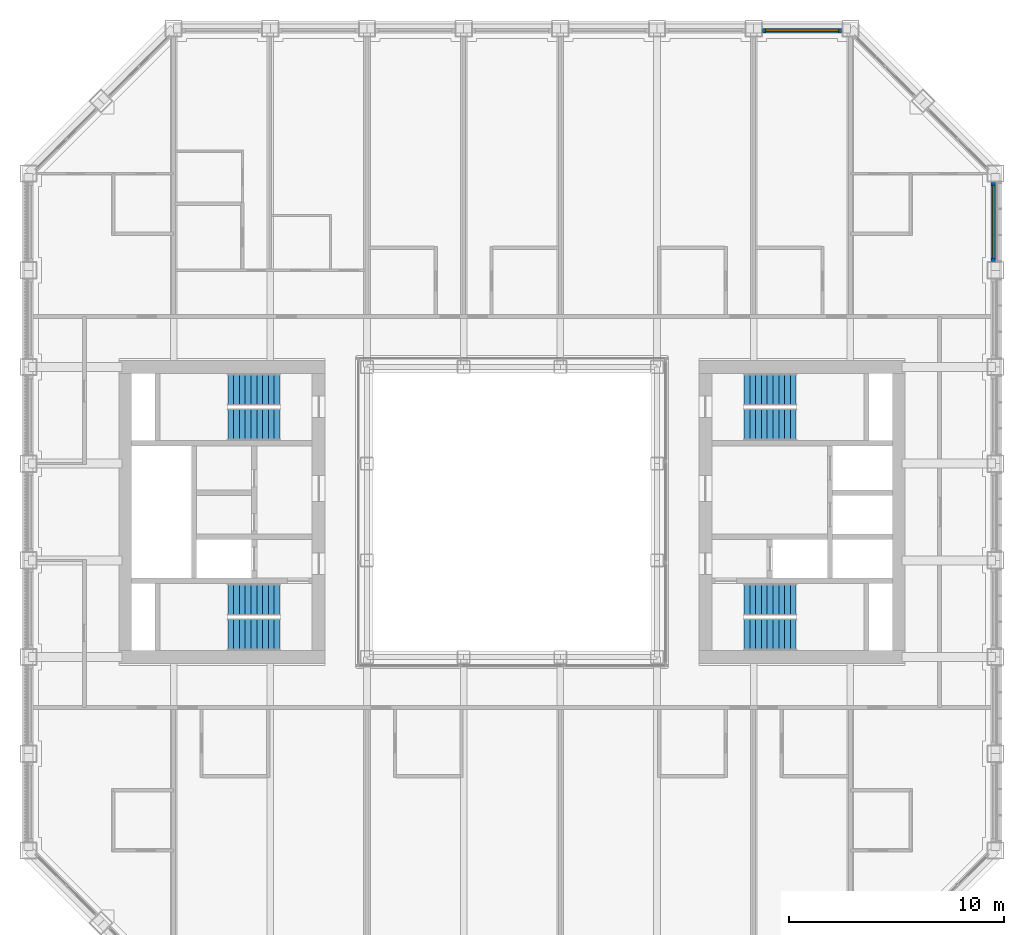
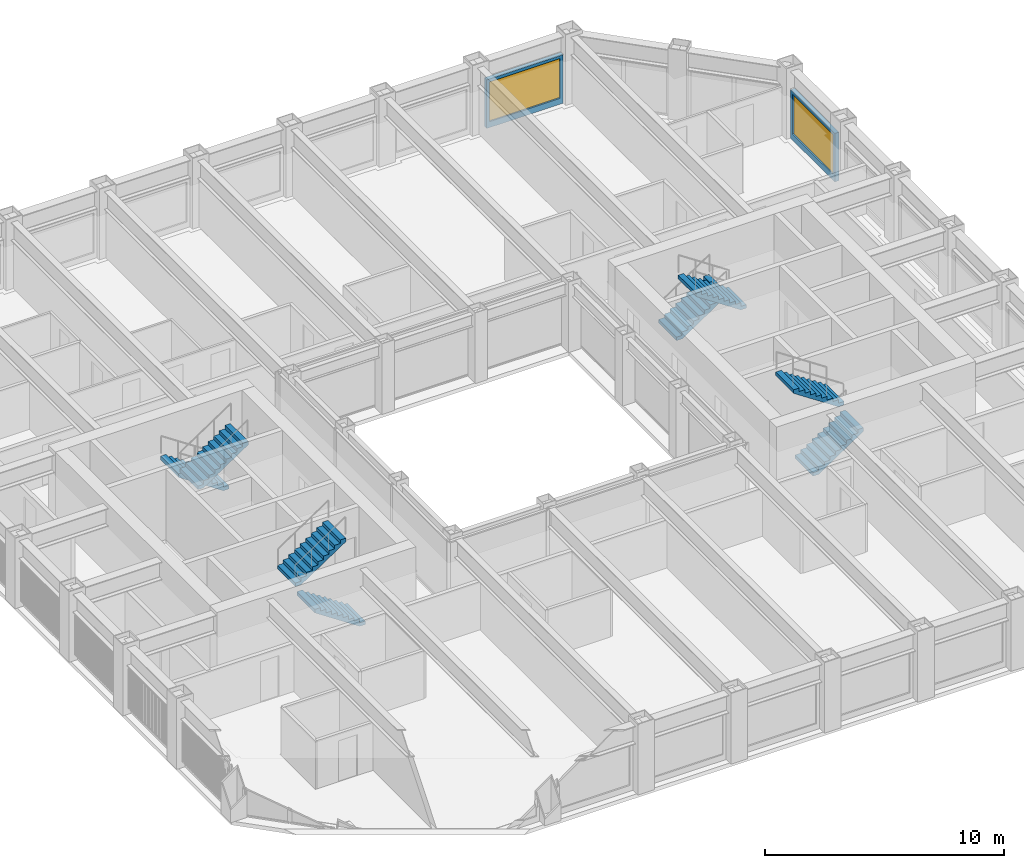
# One storey, part 14 of 17: 8 stair flights, 2 walls, 2 windows, 2 openings, 4 elements without a shape of their own.
"""IFC4 building model written with IfcOpenShell, lengths in metres."""

from ifc_helpers import new_model, si_unit, direction, frame, frame_2d, origin, place, context, subcontext, project, spatial, polyline, rectangle, outline, extrude, material, layer, layer_set, type_object, element, fill, aggregate, save


model = new_model("IFC4")

# Units and contexts
model_context = context("Model", 3, precision=1e-05, world=origin(), true_north=direction((0.0, 1.0)))
body_context = subcontext(model_context, "Body", "Model", "MODEL_VIEW")
ifc_project = project(units=[si_unit("LENGTHUNIT", "METRE"), si_unit("AREAUNIT", "SQUARE_METRE"), si_unit("VOLUMEUNIT", "CUBIC_METRE"), si_unit("PLANEANGLEUNIT", "RADIAN"), si_unit("MASSUNIT", "GRAM", prefix="KILO")], contexts=[model_context])

# Site, building, storey
site_placement = place(None, origin())
site = spatial("IfcSite", under=ifc_project, at=site_placement, CompositionType="ELEMENT")
building_placement = place(site_placement, origin())
building = spatial("IfcBuilding", under=site, at=building_placement, Name="Msasa Ring Tower", CompositionType="ELEMENT")
storey_placement = place(building_placement, frame((0.0, 0.0, 172.39990234375)))
storey = spatial("IfcBuildingStorey", under=building, at=storey_placement, Name="L45", CompositionType="ELEMENT", Elevation=172.39990234375)

# Wall, opening, window
ifc_material_1 = material(Name="Terracotta rainscreen on blockwork", Category="masonry")
ifc_layer = layer(ifc_material_1, 0.199951171875)
ifc_layer_set = layer_set([ifc_layer], Name="FW1 TERRACOTTA-LINED INFILL BAY WALL 200")
wall_type = type_object("IfcWallType", Name="FW1 TERRACOTTA-LINED INFILL BAY WALL 200", PredefinedType="SOLIDWALL", material=ifc_layer_set)
wall_1_placement = place(storey_placement, frame((22.39990234375, 11.655029296875, 0.0), z_axis=(0.0, 0.0, 1.0), x_axis=(0.0, 1.0, 0.0)))
wall_1 = element("IfcWall", 1, at=wall_1_placement, inside=storey, type_object=wall_type, Name="Infill bay wall E L45 15", PredefinedType="SOLIDWALL", context=body_context, shape_type="SweptSolid", body=[
    extrude(rectangle(XDim=3.68994140625, YDim=0.199951171875, at=frame_2d((1.844970703125, 0.0))), origin(), (0.0, 0.0, 1.0), 2.47900390625),
])
opening_1_placement = place(wall_1_placement, frame((0.14501953125, 0.0, 0.300048828125)))
opening_1 = element("IfcOpeningElement", 2, at=opening_1_placement, cuts=wall_1, Name="Opening WN2", PredefinedType="OPENING", context=body_context, shape_type="SweptSolid", body=[
    extrude(rectangle(XDim=3.39990234375, YDim=2.029052734375, at=frame_2d((1.699951171875, 1.0146484375))), frame((0.0, 0.10986328125, 0.0), z_axis=(0.0, -1.0, 0.0), x_axis=(1.0, 0.0, 0.0)), (0.0, 0.0, 1.0), 0.219970703125),
])
ifc_material_2 = material(Name="Aluminium frame with clear glass", Category="aluminium")
window_type = type_object("IfcWindowType", Name="WN2 GUEST ROOM WINDOW 3400x2029", PartitioningType="SINGLE_PANEL", PredefinedType="WINDOW", material=ifc_material_2)
window_1_placement = place(opening_1_placement, origin())
window_1 = element("IfcWindow", 3, at=window_1_placement, inside=storey, type_object=window_type, Name="Window E L45 15", OverallHeight=2.029052734375, OverallWidth=3.39990234375, PartitioningType="SINGLE_PANEL", PredefinedType="WINDOW", context=body_context, shape_type="SweptSolid", body=[
    extrude(rectangle(XDim=3.39990234375, YDim=2.029052734375, at=frame_2d((1.699951171875, 1.0146484375))), frame((0.0, 0.030029296875, 0.0), z_axis=(0.0, -1.0, 0.0), x_axis=(1.0, 0.0, 0.0)), (0.0, 0.0, 1.0), 0.06005859375),
])
fill(opening_1, window_1)

wall_2_placement = place(storey_placement, frame((11.655029296875, 22.39990234375, 0.0), z_axis=(0.0, 0.0, 1.0), x_axis=(1.0, 0.0, 0.0)))
wall_2 = element("IfcWall", 4, at=wall_2_placement, inside=storey, type_object=wall_type, Name="Infill bay wall N L45 24", PredefinedType="SOLIDWALL", context=body_context, shape_type="SweptSolid", body=[
    extrude(rectangle(XDim=3.68994140625, YDim=0.199951171875, at=frame_2d((1.844970703125, 0.0))), origin(), (0.0, 0.0, 1.0), 2.47900390625),
])
opening_2_placement = place(wall_2_placement, frame((0.14501953125, 0.0, 0.300048828125)))
opening_2 = element("IfcOpeningElement", 5, at=opening_2_placement, cuts=wall_2, Name="Opening WN2", PredefinedType="OPENING", context=body_context, shape_type="SweptSolid", body=[
    extrude(rectangle(XDim=3.39990234375, YDim=2.029052734375, at=frame_2d((1.699951171875, 1.0146484375))), frame((0.0, 0.10986328125, 0.0), z_axis=(0.0, -1.0, 0.0), x_axis=(1.0, 0.0, 0.0)), (0.0, 0.0, 1.0), 0.219970703125),
])
window_2_placement = place(opening_2_placement, origin())
window_2 = element("IfcWindow", 6, at=window_2_placement, inside=storey, type_object=window_type, Name="Window N L45 24", OverallHeight=2.029052734375, OverallWidth=3.39990234375, PartitioningType="SINGLE_PANEL", PredefinedType="WINDOW", context=body_context, shape_type="SweptSolid", body=[
    extrude(rectangle(XDim=3.39990234375, YDim=2.029052734375, at=frame_2d((1.699951171875, 1.0146484375))), frame((0.0, 0.030029296875, 0.0), z_axis=(0.0, -1.0, 0.0), x_axis=(1.0, 0.0, 0.0)), (0.0, 0.0, 1.0), 0.06005859375),
])
fill(opening_2, window_2)

# Stair, stair flights
ifc_material_3 = material(Name="Concrete C40/50", Category="concrete")
stair_type = type_object("IfcStairType", Name="STC CORE STAIR 20 RISERS 180", PredefinedType="HALF_TURN_STAIR", material=ifc_material_3)
stair_1_placement = place(storey_placement, origin())
stair_1 = element("IfcStair", 7, at=stair_1_placement, inside=storey, type_object=stair_type, Name="Core stair SEA L45", PredefinedType="HALF_TURN_STAIR")
ifc_material_4 = material(Name="Concrete C40/50", Category="concrete")
stair_flight_type = type_object("IfcStairFlightType", Name="ST14 CORE STAIR FLIGHT 1500 10 RISERS 180", PredefinedType="STRAIGHT", material=ifc_material_4)
stair_flight_1_placement = place(storey_placement, frame((10.800048828125, -5.699951171875, 0.0), z_axis=(0.0, 0.0, 1.0), x_axis=(1.0, 0.0, 0.0)))
stair_flight_1 = element("IfcStairFlight", 8, at=stair_flight_1_placement, type_object=stair_flight_type, Name="SEA flight 1", NumberOfRisers=10, NumberOfTreads=9, PredefinedType="STRAIGHT", RiserHeight=0.18, TreadLength=0.27, context=body_context, shape_type="SweptSolid", body=[
    extrude(outline(polyline([(0.0, 0.0), (0.0, 0.179931640625), (0.27001953125, 0.179931640625), (0.27001953125, 0.360107421875), (0.5400390625, 0.360107421875), (0.5400390625, 0.5400390625), (0.81005859375, 0.5400390625), (0.81005859375, 0.719970703125), (1.080078125, 0.719970703125), (1.080078125, 0.89990234375), (1.35009765625, 0.89990234375), (1.35009765625, 1.080078125), (1.6201171875, 1.080078125), (1.6201171875, 1.260009765625), (1.889892578125, 1.260009765625), (1.889892578125, 1.43994140625), (2.159912109375, 1.43994140625), (2.159912109375, 1.6201171875), (2.429931640625, 1.6201171875), (2.429931640625, 1.800048828125), (2.429931640625, 1.43994140625), (0.270263671875, 0.0), (0.0, 0.0)])), frame((0.0, 0.75, 0.0), z_axis=(0.0, -1.0, 0.0), x_axis=(1.0, 0.0, 0.0)), (0.0, 0.0, 1.0), 1.5),
])
stair_flight_2_placement = place(storey_placement, frame((13.22998046875, -4.074951171875, 1.800048828125), z_axis=(0.0, 0.0, 1.0), x_axis=(-1.0, 0.0, 0.0)))
stair_flight_2 = element("IfcStairFlight", 9, at=stair_flight_2_placement, type_object=stair_flight_type, Name="SEA flight 2", NumberOfRisers=10, NumberOfTreads=9, PredefinedType="STRAIGHT", RiserHeight=0.18, TreadLength=0.27, context=body_context, shape_type="SweptSolid", body=[
    extrude(outline(polyline([(0.0, 0.0), (0.0, 0.179931640625), (0.27001953125, 0.179931640625), (0.27001953125, 0.360107421875), (0.5400390625, 0.360107421875), (0.5400390625, 0.5400390625), (0.81005859375, 0.5400390625), (0.81005859375, 0.719970703125), (1.080078125, 0.719970703125), (1.080078125, 0.89990234375), (1.35009765625, 0.89990234375), (1.35009765625, 1.080078125), (1.6201171875, 1.080078125), (1.6201171875, 1.260009765625), (1.889892578125, 1.260009765625), (1.889892578125, 1.43994140625), (2.159912109375, 1.43994140625), (2.159912109375, 1.6201171875), (2.429931640625, 1.6201171875), (2.429931640625, 1.800048828125), (2.429931640625, 1.43994140625), (0.270263671875, 0.0), (0.0, 0.0)])), frame((0.0, 0.75, 0.0), z_axis=(0.0, -1.0, 0.0), x_axis=(1.0, 0.0, 0.0)), (0.0, 0.0, 1.0), 1.5),
])
aggregate(stair_1, [stair_flight_1, stair_flight_2])

stair_2_placement = place(storey_placement, origin())
stair_2 = element("IfcStair", 10, at=stair_2_placement, inside=storey, type_object=stair_type, Name="Core stair SEB L45", PredefinedType="HALF_TURN_STAIR")
stair_flight_3_placement = place(storey_placement, frame((10.800048828125, 5.699951171875, 0.0), z_axis=(0.0, 0.0, 1.0), x_axis=(1.0, 0.0, 0.0)))
stair_flight_3 = element("IfcStairFlight", 11, at=stair_flight_3_placement, type_object=stair_flight_type, Name="SEB flight 1", NumberOfRisers=10, NumberOfTreads=9, PredefinedType="STRAIGHT", RiserHeight=0.18, TreadLength=0.27, context=body_context, shape_type="SweptSolid", body=[
    extrude(outline(polyline([(0.0, 0.0), (0.0, 0.179931640625), (0.27001953125, 0.179931640625), (0.27001953125, 0.360107421875), (0.5400390625, 0.360107421875), (0.5400390625, 0.5400390625), (0.81005859375, 0.5400390625), (0.81005859375, 0.719970703125), (1.080078125, 0.719970703125), (1.080078125, 0.89990234375), (1.35009765625, 0.89990234375), (1.35009765625, 1.080078125), (1.6201171875, 1.080078125), (1.6201171875, 1.260009765625), (1.889892578125, 1.260009765625), (1.889892578125, 1.43994140625), (2.159912109375, 1.43994140625), (2.159912109375, 1.6201171875), (2.429931640625, 1.6201171875), (2.429931640625, 1.800048828125), (2.429931640625, 1.43994140625), (0.270263671875, 0.0), (0.0, 0.0)])), frame((0.0, 0.75, 0.0), z_axis=(0.0, -1.0, 0.0), x_axis=(1.0, 0.0, 0.0)), (0.0, 0.0, 1.0), 1.5),
])
stair_flight_4_placement = place(storey_placement, frame((13.22998046875, 4.074951171875, 1.800048828125), z_axis=(0.0, 0.0, 1.0), x_axis=(-1.0, 0.0, 0.0)))
stair_flight_4 = element("IfcStairFlight", 12, at=stair_flight_4_placement, type_object=stair_flight_type, Name="SEB flight 2", NumberOfRisers=10, NumberOfTreads=9, PredefinedType="STRAIGHT", RiserHeight=0.18, TreadLength=0.27, context=body_context, shape_type="SweptSolid", body=[
    extrude(outline(polyline([(0.0, 0.0), (0.0, 0.179931640625), (0.27001953125, 0.179931640625), (0.27001953125, 0.360107421875), (0.5400390625, 0.360107421875), (0.5400390625, 0.5400390625), (0.81005859375, 0.5400390625), (0.81005859375, 0.719970703125), (1.080078125, 0.719970703125), (1.080078125, 0.89990234375), (1.35009765625, 0.89990234375), (1.35009765625, 1.080078125), (1.6201171875, 1.080078125), (1.6201171875, 1.260009765625), (1.889892578125, 1.260009765625), (1.889892578125, 1.43994140625), (2.159912109375, 1.43994140625), (2.159912109375, 1.6201171875), (2.429931640625, 1.6201171875), (2.429931640625, 1.800048828125), (2.429931640625, 1.43994140625), (0.270263671875, 0.0), (0.0, 0.0)])), frame((0.0, 0.75, 0.0), z_axis=(0.0, -1.0, 0.0), x_axis=(1.0, 0.0, 0.0)), (0.0, 0.0, 1.0), 1.5),
])
aggregate(stair_2, [stair_flight_3, stair_flight_4])

stair_3_placement = place(storey_placement, origin())
stair_3 = element("IfcStair", 13, at=stair_3_placement, inside=storey, type_object=stair_type, Name="Core stair SWA L45", PredefinedType="HALF_TURN_STAIR")
stair_flight_5_placement = place(storey_placement, frame((-10.800048828125, -5.699951171875, 0.0), z_axis=(0.0, 0.0, 1.0), x_axis=(-1.0, 0.0, 0.0)))
stair_flight_5 = element("IfcStairFlight", 14, at=stair_flight_5_placement, type_object=stair_flight_type, Name="SWA flight 1", NumberOfRisers=10, NumberOfTreads=9, PredefinedType="STRAIGHT", RiserHeight=0.18, TreadLength=0.27, context=body_context, shape_type="SweptSolid", body=[
    extrude(outline(polyline([(0.0, 0.0), (0.0, 0.179931640625), (0.27001953125, 0.179931640625), (0.27001953125, 0.360107421875), (0.5400390625, 0.360107421875), (0.5400390625, 0.5400390625), (0.81005859375, 0.5400390625), (0.81005859375, 0.719970703125), (1.080078125, 0.719970703125), (1.080078125, 0.89990234375), (1.35009765625, 0.89990234375), (1.35009765625, 1.080078125), (1.6201171875, 1.080078125), (1.6201171875, 1.260009765625), (1.889892578125, 1.260009765625), (1.889892578125, 1.43994140625), (2.159912109375, 1.43994140625), (2.159912109375, 1.6201171875), (2.429931640625, 1.6201171875), (2.429931640625, 1.800048828125), (2.429931640625, 1.43994140625), (0.270263671875, 0.0), (0.0, 0.0)])), frame((0.0, 0.75, 0.0), z_axis=(0.0, -1.0, 0.0), x_axis=(1.0, 0.0, 0.0)), (0.0, 0.0, 1.0), 1.5),
])
stair_flight_6_placement = place(storey_placement, frame((-13.22998046875, -4.074951171875, 1.800048828125), z_axis=(0.0, 0.0, 1.0), x_axis=(1.0, 0.0, 0.0)))
stair_flight_6 = element("IfcStairFlight", 15, at=stair_flight_6_placement, type_object=stair_flight_type, Name="SWA flight 2", NumberOfRisers=10, NumberOfTreads=9, PredefinedType="STRAIGHT", RiserHeight=0.18, TreadLength=0.27, context=body_context, shape_type="SweptSolid", body=[
    extrude(outline(polyline([(0.0, 0.0), (0.0, 0.179931640625), (0.27001953125, 0.179931640625), (0.27001953125, 0.360107421875), (0.5400390625, 0.360107421875), (0.5400390625, 0.5400390625), (0.81005859375, 0.5400390625), (0.81005859375, 0.719970703125), (1.080078125, 0.719970703125), (1.080078125, 0.89990234375), (1.35009765625, 0.89990234375), (1.35009765625, 1.080078125), (1.6201171875, 1.080078125), (1.6201171875, 1.260009765625), (1.889892578125, 1.260009765625), (1.889892578125, 1.43994140625), (2.159912109375, 1.43994140625), (2.159912109375, 1.6201171875), (2.429931640625, 1.6201171875), (2.429931640625, 1.800048828125), (2.429931640625, 1.43994140625), (0.270263671875, 0.0), (0.0, 0.0)])), frame((0.0, 0.75, 0.0), z_axis=(0.0, -1.0, 0.0), x_axis=(1.0, 0.0, 0.0)), (0.0, 0.0, 1.0), 1.5),
])
aggregate(stair_3, [stair_flight_5, stair_flight_6])

stair_4_placement = place(storey_placement, origin())
stair_4 = element("IfcStair", 16, at=stair_4_placement, inside=storey, type_object=stair_type, Name="Core stair SWB L45", PredefinedType="HALF_TURN_STAIR")
stair_flight_7_placement = place(storey_placement, frame((-10.800048828125, 5.699951171875, 0.0), z_axis=(0.0, 0.0, 1.0), x_axis=(-1.0, 0.0, 0.0)))
stair_flight_7 = element("IfcStairFlight", 17, at=stair_flight_7_placement, type_object=stair_flight_type, Name="SWB flight 1", NumberOfRisers=10, NumberOfTreads=9, PredefinedType="STRAIGHT", RiserHeight=0.18, TreadLength=0.27, context=body_context, shape_type="SweptSolid", body=[
    extrude(outline(polyline([(0.0, 0.0), (0.0, 0.179931640625), (0.27001953125, 0.179931640625), (0.27001953125, 0.360107421875), (0.5400390625, 0.360107421875), (0.5400390625, 0.5400390625), (0.81005859375, 0.5400390625), (0.81005859375, 0.719970703125), (1.080078125, 0.719970703125), (1.080078125, 0.89990234375), (1.35009765625, 0.89990234375), (1.35009765625, 1.080078125), (1.6201171875, 1.080078125), (1.6201171875, 1.260009765625), (1.889892578125, 1.260009765625), (1.889892578125, 1.43994140625), (2.159912109375, 1.43994140625), (2.159912109375, 1.6201171875), (2.429931640625, 1.6201171875), (2.429931640625, 1.800048828125), (2.429931640625, 1.43994140625), (0.270263671875, 0.0), (0.0, 0.0)])), frame((0.0, 0.75, 0.0), z_axis=(0.0, -1.0, 0.0), x_axis=(1.0, 0.0, 0.0)), (0.0, 0.0, 1.0), 1.5),
])
stair_flight_8_placement = place(storey_placement, frame((-13.22998046875, 4.074951171875, 1.800048828125), z_axis=(0.0, 0.0, 1.0), x_axis=(1.0, 0.0, 0.0)))
stair_flight_8 = element("IfcStairFlight", 18, at=stair_flight_8_placement, type_object=stair_flight_type, Name="SWB flight 2", NumberOfRisers=10, NumberOfTreads=9, PredefinedType="STRAIGHT", RiserHeight=0.18, TreadLength=0.27, context=body_context, shape_type="SweptSolid", body=[
    extrude(outline(polyline([(0.0, 0.0), (0.0, 0.179931640625), (0.27001953125, 0.179931640625), (0.27001953125, 0.360107421875), (0.5400390625, 0.360107421875), (0.5400390625, 0.5400390625), (0.81005859375, 0.5400390625), (0.81005859375, 0.719970703125), (1.080078125, 0.719970703125), (1.080078125, 0.89990234375), (1.35009765625, 0.89990234375), (1.35009765625, 1.080078125), (1.6201171875, 1.080078125), (1.6201171875, 1.260009765625), (1.889892578125, 1.260009765625), (1.889892578125, 1.43994140625), (2.159912109375, 1.43994140625), (2.159912109375, 1.6201171875), (2.429931640625, 1.6201171875), (2.429931640625, 1.800048828125), (2.429931640625, 1.43994140625), (0.270263671875, 0.0), (0.0, 0.0)])), frame((0.0, 0.75, 0.0), z_axis=(0.0, -1.0, 0.0), x_axis=(1.0, 0.0, 0.0)), (0.0, 0.0, 1.0), 1.5),
])
aggregate(stair_4, [stair_flight_7, stair_flight_8])

save(model, "model.ifc")
